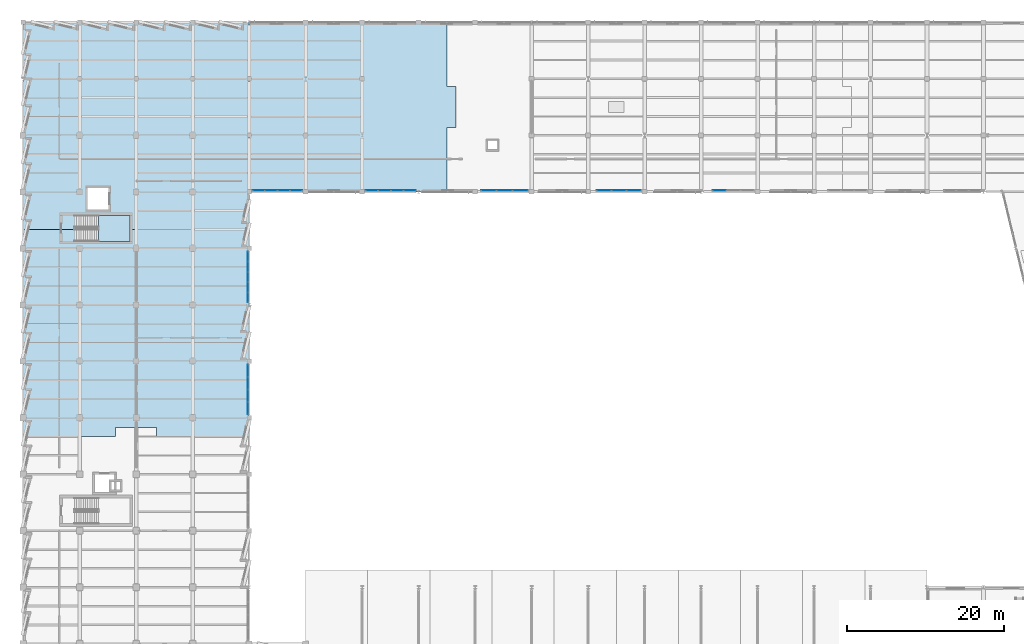
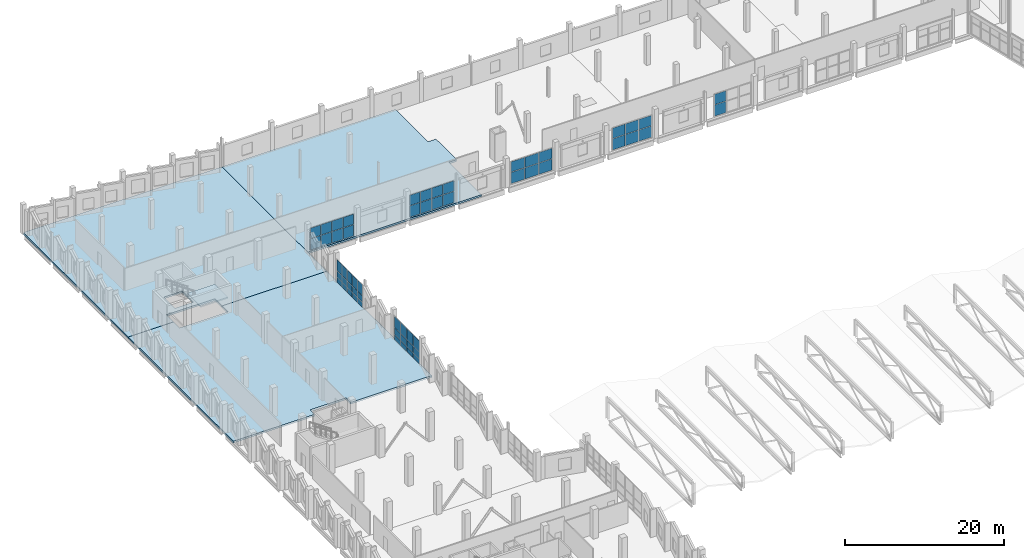
# One storey, part 76 of 123: 57 plates, 4 slabs, 8 elements without a shape of their own.
"""IFC4 building model written with IfcOpenShell, lengths in metres."""

from ifc_helpers import new_model, si_unit, direction, frame, origin, origin_2d, place, context, subcontext, project, spatial, polyline, rectangle, outline, extrude, material, layer, layer_set, type_object, element, aggregate, save


model = new_model("IFC4")

# Units and contexts
model_context = context("Model", 3, precision=1e-05, world=origin(), true_north=direction((0.0, 1.0)))
body_context = subcontext(model_context, "Body", "Model", "MODEL_VIEW")
ifc_project = project(units=[si_unit("LENGTHUNIT", "METRE"), si_unit("AREAUNIT", "SQUARE_METRE"), si_unit("VOLUMEUNIT", "CUBIC_METRE"), si_unit("PLANEANGLEUNIT", "RADIAN"), si_unit("MASSUNIT", "GRAM", prefix="KILO")], contexts=[model_context])

# Site, building, storey
site_placement = place(None, origin())
site = spatial("IfcSite", under=ifc_project, at=site_placement, CompositionType="ELEMENT")
building_placement = place(site_placement, origin())
building = spatial("IfcBuilding", under=site, at=building_placement, Name="Kalmorath City Hall", CompositionType="ELEMENT")
storey_placement = place(building_placement, frame((0.0, 0.0, 10.199951171875)))
storey = spatial("IfcBuildingStorey", under=building, at=storey_placement, Name="L02", CompositionType="ELEMENT", Elevation=10.199951171875)

# Slabs
ifc_material_1 = material(Name="Concrete C40/50", Category="concrete")
ifc_layer_1 = layer(ifc_material_1, 0.280029296875)
ifc_layer_set_1 = layer_set([ifc_layer_1], Name="Concrete C40/50")
slab_type_1 = type_object("IfcSlabType", Name="Concrete composite floor slab 280", PredefinedType="FLOOR", material=ifc_layer_set_1)
slab_1_placement = place(storey_placement, frame((0.0, 0.0, -0.280029296875)))
element("IfcSlab", 1, at=slab_1_placement, inside=storey, type_object=slab_type_1, Name="L02 West Sawtooth Wing and Civic Storm Arcade slab FS2-2", PredefinedType="FLOOR", context=body_context, shape_type="SweptSolid", body=[
    extrude(outline(polyline([(17.0, 62.39990234375), (17.0, 63.550048828125), (11.800048828125, 63.550048828125), (11.800048828125, 62.39990234375), (0.0, 62.39990234375), (0.0, 88.800048828125), (6.590087890625, 88.800048828125), (6.590087890625, 87.300048828125), (13.60009765625, 87.300048828125), (13.60009765625, 88.800048828125), (28.800048828125, 88.800048828125), (28.800048828125, 62.39990234375), (17.0, 62.39990234375)])), origin(), (0.0, 0.0, 1.0), 0.280029296875),
])
slab_2_placement = place(storey_placement, frame((0.0, 0.0, -0.280029296875)))
element("IfcSlab", 2, at=slab_2_placement, inside=storey, type_object=slab_type_1, Name="L02 West Sawtooth Wing and Civic Storm Arcade slab FS2-3", PredefinedType="FLOOR", context=body_context, shape_type="SweptSolid", body=[
    extrude(outline(polyline([(28.800048828125, 115.199951171875), (28.800048828125, 88.800048828125), (13.60009765625, 88.800048828125), (13.60009765625, 90.60009765625), (6.590087890625, 90.60009765625), (6.590087890625, 88.800048828125), (0.0, 88.800048828125), (0.0, 115.199951171875), (28.800048828125, 115.199951171875)]), holes=[polyline([(8.199951171875, 94.10009765625), (8.199951171875, 91.300048828125), (10.89990234375, 91.300048828125), (10.89990234375, 94.10009765625), (8.199951171875, 94.10009765625)])]), origin(), (0.0, 0.0, 1.0), 0.280029296875),
])
slab_3_placement = place(storey_placement, frame((0.0, 0.0, -0.280029296875)))
element("IfcSlab", 3, at=slab_3_placement, inside=storey, type_object=slab_type_1, Name="L02 Basalt Rear Committee Wing slab FS2-1", PredefinedType="FLOOR", context=body_context, shape_type="SweptSolid", body=[
    extrude(outline(polyline([(28.800048828125, 115.199951171875), (54.0, 115.199951171875), (54.0, 107.0), (55.14990234375, 107.0), (55.14990234375, 101.800048828125), (54.0, 101.800048828125), (54.0, 93.60009765625), (28.800048828125, 93.60009765625), (28.800048828125, 115.199951171875)])), origin(), (0.0, 0.0, 1.0), 0.280029296875),
])

# Stair, slab
ifc_material_2 = material(Name="Concrete C40/50", Category="concrete")
stair_type = type_object("IfcStairType", Name="Dogleg concrete exit stair 24R x 188mm W1550", PredefinedType="HALF_TURN_STAIR", material=ifc_material_2)
stair_placement = place(storey_placement, origin())
stair = element("IfcStair", 4, at=stair_placement, inside=storey, type_object=stair_type, Name="L02 Protected exit stair ST-4", PredefinedType="HALF_TURN_STAIR")
ifc_material_3 = material(Name="Concrete C40/50", Category="concrete")
ifc_layer_2 = layer(ifc_material_3, 0.199951171875)
ifc_layer_set_2 = layer_set([ifc_layer_2], Name="Concrete C40/50")
slab_type_2 = type_object("IfcSlabType", Name="Concrete stair half-landing slab 200", PredefinedType="LANDING", material=ifc_layer_set_2)
slab_4_placement = place(storey_placement, frame((0.0, 0.0, 2.050048828125)))
slab_4 = element("IfcSlab", 5, at=slab_4_placement, type_object=slab_type_2, Name="ST-4 landing 1", PredefinedType="LANDING", context=body_context, shape_type="SweptSolid", body=[
    extrude(outline(polyline([(9.6298828125, 87.300048828125), (13.60009765625, 87.300048828125), (13.60009765625, 90.60009765625), (9.6298828125, 90.60009765625), (9.6298828125, 87.300048828125)])), origin(), (0.0, 0.0, 1.0), 0.199951171875),
])
aggregate(stair, [slab_4])

# Curtain wall, plates
ifc_material_4 = material(Name="Anodised aluminium and laminated glass", Category="aluminium")
curtain_wall_type_1 = type_object("IfcCurtainWallType", Name="Unitised hurricane curtain wall 5395x3471 M1750", PredefinedType="NOTDEFINED", material=ifc_material_4)
curtain_wall_1_placement = place(storey_placement, origin())
curtain_wall_1 = element("IfcCurtainWall", 6, at=curtain_wall_1_placement, inside=storey, type_object=curtain_wall_type_1, Name="L02 curtain wall CW-54X35M18 #134", PredefinedType="NOTDEFINED")
ifc_material_5 = material(Name="Hurricane laminated low-E glass", Category="glass")
ifc_layer_3 = layer(ifc_material_5, 0.028076171875)
ifc_layer_set_3 = layer_set([ifc_layer_3], Name="Hurricane laminated low-E glass")
plate_type = type_object("IfcPlateType", Name="Courtyard solar-control glazed panel 28", PredefinedType="CURTAIN_PANEL", material=ifc_layer_set_3)
plate_1_placement = place(storey_placement, frame((88.73046875, 93.760009765625, 0.06005859375), z_axis=(0.0, 0.0, 1.0), x_axis=(-1.0, 0.0, 0.0)))
plate_1 = element("IfcPlate", 7, at=plate_1_placement, type_object=plate_type, Name="CW-54X35M18 panel 3.1", PredefinedType="CURTAIN_PANEL", context=body_context, shape_type="SweptSolid", body=[
    extrude(rectangle(XDim=1.70068359375, YDim=0.028076171875, at=origin_2d()), origin(), (0.0, 0.0, 1.0), 1.715087890625),
])
plate_2_placement = place(storey_placement, frame((88.73046875, 93.760009765625, 1.8349609375), z_axis=(0.0, 0.0, 1.0), x_axis=(-1.0, 0.0, 0.0)))
plate_2 = element("IfcPlate", 8, at=plate_2_placement, type_object=plate_type, Name="CW-54X35M18 panel 3.2", PredefinedType="CURTAIN_PANEL", context=body_context, shape_type="SweptSolid", body=[
    extrude(rectangle(XDim=1.70068359375, YDim=0.028076171875, at=origin_2d()), origin(), (0.0, 0.0, 1.0), 1.575927734375),
])
aggregate(curtain_wall_1, [plate_1, plate_2])

ifc_material_6 = material(Name="Anodised aluminium and laminated glass", Category="aluminium")
curtain_wall_type_2 = type_object("IfcCurtainWallType", Name="Unitised hurricane curtain wall 5749x3471 M1750", PredefinedType="NOTDEFINED", material=ifc_material_6)
curtain_wall_2_placement = place(storey_placement, origin())
curtain_wall_2 = element("IfcCurtainWall", 9, at=curtain_wall_2_placement, inside=storey, type_object=curtain_wall_type_2, Name="L02 curtain wall CW-57X35M18 #135", PredefinedType="NOTDEFINED")
plate_3_placement = place(storey_placement, frame((77.835693359375, 93.760009765625, 0.06005859375), z_axis=(0.0, 0.0, 1.0), x_axis=(-1.0, 0.0, 0.0)))
plate_3 = element("IfcPlate", 10, at=plate_3_placement, type_object=plate_type, Name="CW-57X35M18 panel 1.1", PredefinedType="CURTAIN_PANEL", context=body_context, shape_type="SweptSolid", body=[
    extrude(rectangle(XDim=1.818603515625, YDim=0.028076171875, at=origin_2d()), origin(), (0.0, 0.0, 1.0), 1.715087890625),
])
plate_4_placement = place(storey_placement, frame((77.835693359375, 93.760009765625, 1.8349609375), z_axis=(0.0, 0.0, 1.0), x_axis=(-1.0, 0.0, 0.0)))
plate_4 = element("IfcPlate", 11, at=plate_4_placement, type_object=plate_type, Name="CW-57X35M18 panel 1.2", PredefinedType="CURTAIN_PANEL", context=body_context, shape_type="SweptSolid", body=[
    extrude(rectangle(XDim=1.818603515625, YDim=0.028076171875, at=origin_2d()), origin(), (0.0, 0.0, 1.0), 1.575927734375),
])
plate_5_placement = place(storey_placement, frame((75.935791015625, 93.760009765625, 0.06005859375), z_axis=(0.0, 0.0, 1.0), x_axis=(-1.0, 0.0, 0.0)))
plate_5 = element("IfcPlate", 12, at=plate_5_placement, type_object=plate_type, Name="CW-57X35M18 panel 2.1", PredefinedType="CURTAIN_PANEL", context=body_context, shape_type="SweptSolid", body=[
    extrude(rectangle(XDim=1.851318359375, YDim=0.028076171875, at=origin_2d()), origin(), (0.0, 0.0, 1.0), 1.715087890625),
])
plate_6_placement = place(storey_placement, frame((75.935791015625, 93.760009765625, 1.8349609375), z_axis=(0.0, 0.0, 1.0), x_axis=(-1.0, 0.0, 0.0)))
plate_6 = element("IfcPlate", 13, at=plate_6_placement, type_object=plate_type, Name="CW-57X35M18 panel 2.2", PredefinedType="CURTAIN_PANEL", context=body_context, shape_type="SweptSolid", body=[
    extrude(rectangle(XDim=1.851318359375, YDim=0.028076171875, at=origin_2d()), origin(), (0.0, 0.0, 1.0), 1.575927734375),
])
plate_7_placement = place(storey_placement, frame((74.03564453125, 93.760009765625, 0.06005859375), z_axis=(0.0, 0.0, 1.0), x_axis=(-1.0, 0.0, 0.0)))
plate_7 = element("IfcPlate", 14, at=plate_7_placement, type_object=plate_type, Name="CW-57X35M18 panel 3.1", PredefinedType="CURTAIN_PANEL", context=body_context, shape_type="SweptSolid", body=[
    extrude(rectangle(XDim=1.818603515625, YDim=0.028076171875, at=origin_2d()), origin(), (0.0, 0.0, 1.0), 1.715087890625),
])
plate_8_placement = place(storey_placement, frame((74.03564453125, 93.760009765625, 1.8349609375), z_axis=(0.0, 0.0, 1.0), x_axis=(-1.0, 0.0, 0.0)))
plate_8 = element("IfcPlate", 15, at=plate_8_placement, type_object=plate_type, Name="CW-57X35M18 panel 3.2", PredefinedType="CURTAIN_PANEL", context=body_context, shape_type="SweptSolid", body=[
    extrude(rectangle(XDim=1.818603515625, YDim=0.028076171875, at=origin_2d()), origin(), (0.0, 0.0, 1.0), 1.575927734375),
])
aggregate(curtain_wall_2, [plate_3, plate_4, plate_5, plate_6, plate_7, plate_8])

ifc_material_7 = material(Name="Anodised aluminium and laminated glass", Category="aluminium")
curtain_wall_type_3 = type_object("IfcCurtainWallType", Name="Unitised hurricane curtain wall 6102x3471 M1750", PredefinedType="NOTDEFINED", material=ifc_material_7)
curtain_wall_3_placement = place(storey_placement, origin())
curtain_wall_3 = element("IfcCurtainWall", 16, at=curtain_wall_3_placement, inside=storey, type_object=curtain_wall_type_3, Name="L02 curtain wall CW-61X35M18 #136", PredefinedType="NOTDEFINED")
plate_9_placement = place(storey_placement, frame((63.376708984375, 93.760009765625, 0.06005859375), z_axis=(0.0, 0.0, 1.0), x_axis=(-1.0, 0.0, 0.0)))
plate_9 = element("IfcPlate", 17, at=plate_9_placement, type_object=plate_type, Name="CW-61X35M18 panel 1.1", PredefinedType="CURTAIN_PANEL", context=body_context, shape_type="SweptSolid", body=[
    extrude(rectangle(XDim=1.9365234375, YDim=0.028076171875, at=origin_2d()), origin(), (0.0, 0.0, 1.0), 1.715087890625),
])
plate_10_placement = place(storey_placement, frame((63.376708984375, 93.760009765625, 1.8349609375), z_axis=(0.0, 0.0, 1.0), x_axis=(-1.0, 0.0, 0.0)))
plate_10 = element("IfcPlate", 18, at=plate_10_placement, type_object=plate_type, Name="CW-61X35M18 panel 1.2", PredefinedType="CURTAIN_PANEL", context=body_context, shape_type="SweptSolid", body=[
    extrude(rectangle(XDim=1.9365234375, YDim=0.028076171875, at=origin_2d()), origin(), (0.0, 0.0, 1.0), 1.575927734375),
])
plate_11_placement = place(storey_placement, frame((61.35888671875, 93.760009765625, 0.06005859375), z_axis=(0.0, 0.0, 1.0), x_axis=(-1.0, 0.0, 0.0)))
plate_11 = element("IfcPlate", 19, at=plate_11_placement, type_object=plate_type, Name="CW-61X35M18 panel 2.1", PredefinedType="CURTAIN_PANEL", context=body_context, shape_type="SweptSolid", body=[
    extrude(rectangle(XDim=1.96923828125, YDim=0.028076171875, at=origin_2d()), origin(), (0.0, 0.0, 1.0), 1.715087890625),
])
plate_12_placement = place(storey_placement, frame((61.35888671875, 93.760009765625, 1.8349609375), z_axis=(0.0, 0.0, 1.0), x_axis=(-1.0, 0.0, 0.0)))
plate_12 = element("IfcPlate", 20, at=plate_12_placement, type_object=plate_type, Name="CW-61X35M18 panel 2.2", PredefinedType="CURTAIN_PANEL", context=body_context, shape_type="SweptSolid", body=[
    extrude(rectangle(XDim=1.96923828125, YDim=0.028076171875, at=origin_2d()), origin(), (0.0, 0.0, 1.0), 1.575927734375),
])
plate_13_placement = place(storey_placement, frame((59.3408203125, 93.760009765625, 0.06005859375), z_axis=(0.0, 0.0, 1.0), x_axis=(-1.0, 0.0, 0.0)))
plate_13 = element("IfcPlate", 21, at=plate_13_placement, type_object=plate_type, Name="CW-61X35M18 panel 3.1", PredefinedType="CURTAIN_PANEL", context=body_context, shape_type="SweptSolid", body=[
    extrude(rectangle(XDim=1.9365234375, YDim=0.028076171875, at=origin_2d()), origin(), (0.0, 0.0, 1.0), 1.715087890625),
])
plate_14_placement = place(storey_placement, frame((59.3408203125, 93.760009765625, 1.8349609375), z_axis=(0.0, 0.0, 1.0), x_axis=(-1.0, 0.0, 0.0)))
plate_14 = element("IfcPlate", 22, at=plate_14_placement, type_object=plate_type, Name="CW-61X35M18 panel 3.2", PredefinedType="CURTAIN_PANEL", context=body_context, shape_type="SweptSolid", body=[
    extrude(rectangle(XDim=1.9365234375, YDim=0.028076171875, at=origin_2d()), origin(), (0.0, 0.0, 1.0), 1.575927734375),
])
aggregate(curtain_wall_3, [plate_9, plate_10, plate_11, plate_12, plate_13, plate_14])

ifc_material_8 = material(Name="Anodised aluminium and laminated glass", Category="aluminium")
curtain_wall_type_4 = type_object("IfcCurtainWallType", Name="Unitised hurricane curtain wall 6543x3471 M1750", PredefinedType="NOTDEFINED", material=ifc_material_8)
curtain_wall_4_placement = place(storey_placement, origin())
curtain_wall_4 = element("IfcCurtainWall", 23, at=curtain_wall_4_placement, inside=storey, type_object=curtain_wall_type_4, Name="L02 curtain wall CW-65X35M18 #137", PredefinedType="NOTDEFINED")
plate_15_placement = place(storey_placement, frame((49.29931640625, 93.760009765625, 0.06005859375), z_axis=(0.0, 0.0, 1.0), x_axis=(-1.0, 0.0, 0.0)))
plate_15 = element("IfcPlate", 24, at=plate_15_placement, type_object=plate_type, Name="CW-65X35M18 panel 1.1", PredefinedType="CURTAIN_PANEL", context=body_context, shape_type="SweptSolid", body=[
    extrude(rectangle(XDim=1.538330078125, YDim=0.028076171875, at=origin_2d()), origin(), (0.0, 0.0, 1.0), 1.715087890625),
])
plate_16_placement = place(storey_placement, frame((49.29931640625, 93.760009765625, 1.8349609375), z_axis=(0.0, 0.0, 1.0), x_axis=(-1.0, 0.0, 0.0)))
plate_16 = element("IfcPlate", 25, at=plate_16_placement, type_object=plate_type, Name="CW-65X35M18 panel 1.2", PredefinedType="CURTAIN_PANEL", context=body_context, shape_type="SweptSolid", body=[
    extrude(rectangle(XDim=1.538330078125, YDim=0.028076171875, at=origin_2d()), origin(), (0.0, 0.0, 1.0), 1.575927734375),
])
plate_17_placement = place(storey_placement, frame((47.6796875, 93.760009765625, 0.06005859375), z_axis=(0.0, 0.0, 1.0), x_axis=(-1.0, 0.0, 0.0)))
plate_17 = element("IfcPlate", 26, at=plate_17_placement, type_object=plate_type, Name="CW-65X35M18 panel 2.1", PredefinedType="CURTAIN_PANEL", context=body_context, shape_type="SweptSolid", body=[
    extrude(rectangle(XDim=1.57080078125, YDim=0.028076171875, at=origin_2d()), origin(), (0.0, 0.0, 1.0), 1.715087890625),
])
plate_18_placement = place(storey_placement, frame((47.6796875, 93.760009765625, 1.8349609375), z_axis=(0.0, 0.0, 1.0), x_axis=(-1.0, 0.0, 0.0)))
plate_18 = element("IfcPlate", 27, at=plate_18_placement, type_object=plate_type, Name="CW-65X35M18 panel 2.2", PredefinedType="CURTAIN_PANEL", context=body_context, shape_type="SweptSolid", body=[
    extrude(rectangle(XDim=1.57080078125, YDim=0.028076171875, at=origin_2d()), origin(), (0.0, 0.0, 1.0), 1.575927734375),
])
plate_19_placement = place(storey_placement, frame((46.043701171875, 93.760009765625, 0.06005859375), z_axis=(0.0, 0.0, 1.0), x_axis=(-1.0, 0.0, 0.0)))
plate_19 = element("IfcPlate", 28, at=plate_19_placement, type_object=plate_type, Name="CW-65X35M18 panel 3.1", PredefinedType="CURTAIN_PANEL", context=body_context, shape_type="SweptSolid", body=[
    extrude(rectangle(XDim=1.57080078125, YDim=0.028076171875, at=origin_2d()), origin(), (0.0, 0.0, 1.0), 1.715087890625),
])
plate_20_placement = place(storey_placement, frame((46.043701171875, 93.760009765625, 1.8349609375), z_axis=(0.0, 0.0, 1.0), x_axis=(-1.0, 0.0, 0.0)))
plate_20 = element("IfcPlate", 29, at=plate_20_placement, type_object=plate_type, Name="CW-65X35M18 panel 3.2", PredefinedType="CURTAIN_PANEL", context=body_context, shape_type="SweptSolid", body=[
    extrude(rectangle(XDim=1.57080078125, YDim=0.028076171875, at=origin_2d()), origin(), (0.0, 0.0, 1.0), 1.575927734375),
])
plate_21_placement = place(storey_placement, frame((44.424072265625, 93.760009765625, 0.06005859375), z_axis=(0.0, 0.0, 1.0), x_axis=(-1.0, 0.0, 0.0)))
plate_21 = element("IfcPlate", 30, at=plate_21_placement, type_object=plate_type, Name="CW-65X35M18 panel 4.1", PredefinedType="CURTAIN_PANEL", context=body_context, shape_type="SweptSolid", body=[
    extrude(rectangle(XDim=1.538330078125, YDim=0.028076171875, at=origin_2d()), origin(), (0.0, 0.0, 1.0), 1.715087890625),
])
plate_22_placement = place(storey_placement, frame((44.424072265625, 93.760009765625, 1.8349609375), z_axis=(0.0, 0.0, 1.0), x_axis=(-1.0, 0.0, 0.0)))
plate_22 = element("IfcPlate", 31, at=plate_22_placement, type_object=plate_type, Name="CW-65X35M18 panel 4.2", PredefinedType="CURTAIN_PANEL", context=body_context, shape_type="SweptSolid", body=[
    extrude(rectangle(XDim=1.538330078125, YDim=0.028076171875, at=origin_2d()), origin(), (0.0, 0.0, 1.0), 1.575927734375),
])
aggregate(curtain_wall_4, [plate_15, plate_16, plate_17, plate_18, plate_19, plate_20, plate_21, plate_22])

ifc_material_9 = material(Name="Anodised aluminium and laminated glass", Category="aluminium")
curtain_wall_type_5 = type_object("IfcCurtainWallType", Name="Unitised hurricane curtain wall 6420x3471 M1750", PredefinedType="NOTDEFINED", material=ifc_material_9)
curtain_wall_5_placement = place(storey_placement, origin())
curtain_wall_5 = element("IfcCurtainWall", 32, at=curtain_wall_5_placement, inside=storey, type_object=curtain_wall_type_5, Name="L02 curtain wall CW-64X35M18 #138", PredefinedType="NOTDEFINED")
plate_23_placement = place(storey_placement, frame((34.791259765625, 93.760009765625, 0.06005859375), z_axis=(0.0, 0.0, 1.0), x_axis=(-1.0, 0.0, 0.0)))
plate_23 = element("IfcPlate", 33, at=plate_23_placement, type_object=plate_type, Name="CW-64X35M18 panel 1.1", PredefinedType="CURTAIN_PANEL", context=body_context, shape_type="SweptSolid", body=[
    extrude(rectangle(XDim=1.507568359375, YDim=0.028076171875, at=origin_2d()), origin(), (0.0, 0.0, 1.0), 1.715087890625),
])
plate_24_placement = place(storey_placement, frame((34.791259765625, 93.760009765625, 1.8349609375), z_axis=(0.0, 0.0, 1.0), x_axis=(-1.0, 0.0, 0.0)))
plate_24 = element("IfcPlate", 34, at=plate_24_placement, type_object=plate_type, Name="CW-64X35M18 panel 1.2", PredefinedType="CURTAIN_PANEL", context=body_context, shape_type="SweptSolid", body=[
    extrude(rectangle(XDim=1.507568359375, YDim=0.028076171875, at=origin_2d()), origin(), (0.0, 0.0, 1.0), 1.575927734375),
])
plate_25_placement = place(storey_placement, frame((33.202392578125, 93.760009765625, 0.06005859375), z_axis=(0.0, 0.0, 1.0), x_axis=(-1.0, 0.0, 0.0)))
plate_25 = element("IfcPlate", 35, at=plate_25_placement, type_object=plate_type, Name="CW-64X35M18 panel 2.1", PredefinedType="CURTAIN_PANEL", context=body_context, shape_type="SweptSolid", body=[
    extrude(rectangle(XDim=1.5400390625, YDim=0.028076171875, at=origin_2d()), origin(), (0.0, 0.0, 1.0), 1.715087890625),
])
plate_26_placement = place(storey_placement, frame((33.202392578125, 93.760009765625, 1.8349609375), z_axis=(0.0, 0.0, 1.0), x_axis=(-1.0, 0.0, 0.0)))
plate_26 = element("IfcPlate", 36, at=plate_26_placement, type_object=plate_type, Name="CW-64X35M18 panel 2.2", PredefinedType="CURTAIN_PANEL", context=body_context, shape_type="SweptSolid", body=[
    extrude(rectangle(XDim=1.5400390625, YDim=0.028076171875, at=origin_2d()), origin(), (0.0, 0.0, 1.0), 1.575927734375),
])
plate_27_placement = place(storey_placement, frame((31.597412109375, 93.760009765625, 0.06005859375), z_axis=(0.0, 0.0, 1.0), x_axis=(-1.0, 0.0, 0.0)))
plate_27 = element("IfcPlate", 37, at=plate_27_placement, type_object=plate_type, Name="CW-64X35M18 panel 3.1", PredefinedType="CURTAIN_PANEL", context=body_context, shape_type="SweptSolid", body=[
    extrude(rectangle(XDim=1.5400390625, YDim=0.028076171875, at=origin_2d()), origin(), (0.0, 0.0, 1.0), 1.715087890625),
])
plate_28_placement = place(storey_placement, frame((31.597412109375, 93.760009765625, 1.8349609375), z_axis=(0.0, 0.0, 1.0), x_axis=(-1.0, 0.0, 0.0)))
plate_28 = element("IfcPlate", 38, at=plate_28_placement, type_object=plate_type, Name="CW-64X35M18 panel 3.2", PredefinedType="CURTAIN_PANEL", context=body_context, shape_type="SweptSolid", body=[
    extrude(rectangle(XDim=1.5400390625, YDim=0.028076171875, at=origin_2d()), origin(), (0.0, 0.0, 1.0), 1.575927734375),
])
plate_29_placement = place(storey_placement, frame((30.0087890625, 93.760009765625, 0.06005859375), z_axis=(0.0, 0.0, 1.0), x_axis=(-1.0, 0.0, 0.0)))
plate_29 = element("IfcPlate", 39, at=plate_29_placement, type_object=plate_type, Name="CW-64X35M18 panel 4.1", PredefinedType="CURTAIN_PANEL", context=body_context, shape_type="SweptSolid", body=[
    extrude(rectangle(XDim=1.507568359375, YDim=0.028076171875, at=origin_2d()), origin(), (0.0, 0.0, 1.0), 1.715087890625),
])
plate_30_placement = place(storey_placement, frame((30.0087890625, 93.760009765625, 1.8349609375), z_axis=(0.0, 0.0, 1.0), x_axis=(-1.0, 0.0, 0.0)))
plate_30 = element("IfcPlate", 40, at=plate_30_placement, type_object=plate_type, Name="CW-64X35M18 panel 4.2", PredefinedType="CURTAIN_PANEL", context=body_context, shape_type="SweptSolid", body=[
    extrude(rectangle(XDim=1.507568359375, YDim=0.028076171875, at=origin_2d()), origin(), (0.0, 0.0, 1.0), 1.575927734375),
])
aggregate(curtain_wall_5, [plate_23, plate_24, plate_25, plate_26, plate_27, plate_28, plate_29, plate_30])

ifc_material_10 = material(Name="Anodised aluminium and laminated glass", Category="aluminium")
curtain_wall_type_6 = type_object("IfcCurtainWallType", Name="Unitised hurricane curtain wall 6544x3618 M1450", PredefinedType="NOTDEFINED", material=ifc_material_10)
curtain_wall_6_placement = place(storey_placement, origin())
curtain_wall_6 = element("IfcCurtainWall", 41, at=curtain_wall_6_placement, inside=storey, type_object=curtain_wall_type_6, Name="L02 curtain wall CW-65X36M14 #139", PredefinedType="NOTDEFINED")
plate_31_placement = place(storey_placement, frame((28.639892578125, 85.33935546875, 0.06005859375), z_axis=(0.0, 0.0, 1.0), x_axis=(0.0, -1.0, 0.0)))
plate_31 = element("IfcPlate", 42, at=plate_31_placement, type_object=plate_type, Name="CW-65X36M14 panel 1.1", PredefinedType="CURTAIN_PANEL", context=body_context, shape_type="SweptSolid", body=[
    extrude(rectangle(XDim=1.211181640625, YDim=0.028076171875, at=origin_2d()), origin(), (0.0, 0.0, 1.0), 0.760009765625),
])
plate_32_placement = place(storey_placement, frame((28.639892578125, 85.33935546875, 0.8798828125), z_axis=(0.0, 0.0, 1.0), x_axis=(0.0, -1.0, 0.0)))
plate_32 = element("IfcPlate", 43, at=plate_32_placement, type_object=plate_type, Name="CW-65X36M14 panel 1.2", PredefinedType="CURTAIN_PANEL", context=body_context, shape_type="SweptSolid", body=[
    extrude(rectangle(XDim=1.211181640625, YDim=0.028076171875, at=origin_2d()), origin(), (0.0, 0.0, 1.0), 0.970947265625),
])
plate_33_placement = place(storey_placement, frame((28.639892578125, 85.33935546875, 1.9111328125), z_axis=(0.0, 0.0, 1.0), x_axis=(0.0, -1.0, 0.0)))
plate_33 = element("IfcPlate", 44, at=plate_33_placement, type_object=plate_type, Name="CW-65X36M14 panel 1.3", PredefinedType="CURTAIN_PANEL", context=body_context, shape_type="SweptSolid", body=[
    extrude(rectangle(XDim=1.211181640625, YDim=0.028076171875, at=origin_2d()), origin(), (0.0, 0.0, 1.0), 1.64697265625),
])
plate_34_placement = place(storey_placement, frame((28.639892578125, 84.046875, 0.06005859375), z_axis=(0.0, 0.0, 1.0), x_axis=(0.0, -1.0, 0.0)))
plate_34 = element("IfcPlate", 45, at=plate_34_placement, type_object=plate_type, Name="CW-65X36M14 panel 2.1", PredefinedType="CURTAIN_PANEL", context=body_context, shape_type="SweptSolid", body=[
    extrude(rectangle(XDim=1.24365234375, YDim=0.028076171875, at=origin_2d()), origin(), (0.0, 0.0, 1.0), 0.760009765625),
])
plate_35_placement = place(storey_placement, frame((28.639892578125, 84.046875, 0.8798828125), z_axis=(0.0, 0.0, 1.0), x_axis=(0.0, -1.0, 0.0)))
plate_35 = element("IfcPlate", 46, at=plate_35_placement, type_object=plate_type, Name="CW-65X36M14 panel 2.2", PredefinedType="CURTAIN_PANEL", context=body_context, shape_type="SweptSolid", body=[
    extrude(rectangle(XDim=1.24365234375, YDim=0.028076171875, at=origin_2d()), origin(), (0.0, 0.0, 1.0), 0.970947265625),
])
plate_36_placement = place(storey_placement, frame((28.639892578125, 84.046875, 1.9111328125), z_axis=(0.0, 0.0, 1.0), x_axis=(0.0, -1.0, 0.0)))
plate_36 = element("IfcPlate", 47, at=plate_36_placement, type_object=plate_type, Name="CW-65X36M14 panel 2.3", PredefinedType="CURTAIN_PANEL", context=body_context, shape_type="SweptSolid", body=[
    extrude(rectangle(XDim=1.24365234375, YDim=0.028076171875, at=origin_2d()), origin(), (0.0, 0.0, 1.0), 1.64697265625),
])
plate_37_placement = place(storey_placement, frame((28.639892578125, 82.73828125, 0.06005859375), z_axis=(0.0, 0.0, 1.0), x_axis=(0.0, -1.0, 0.0)))
plate_37 = element("IfcPlate", 48, at=plate_37_placement, type_object=plate_type, Name="CW-65X36M14 panel 3.1", PredefinedType="CURTAIN_PANEL", context=body_context, shape_type="SweptSolid", body=[
    extrude(rectangle(XDim=1.24365234375, YDim=0.028076171875, at=origin_2d()), origin(), (0.0, 0.0, 1.0), 0.760009765625),
])
plate_38_placement = place(storey_placement, frame((28.639892578125, 82.73828125, 0.8798828125), z_axis=(0.0, 0.0, 1.0), x_axis=(0.0, -1.0, 0.0)))
plate_38 = element("IfcPlate", 49, at=plate_38_placement, type_object=plate_type, Name="CW-65X36M14 panel 3.2", PredefinedType="CURTAIN_PANEL", context=body_context, shape_type="SweptSolid", body=[
    extrude(rectangle(XDim=1.24365234375, YDim=0.028076171875, at=origin_2d()), origin(), (0.0, 0.0, 1.0), 0.970947265625),
])
plate_39_placement = place(storey_placement, frame((28.639892578125, 82.73828125, 1.9111328125), z_axis=(0.0, 0.0, 1.0), x_axis=(0.0, -1.0, 0.0)))
plate_39 = element("IfcPlate", 50, at=plate_39_placement, type_object=plate_type, Name="CW-65X36M14 panel 3.3", PredefinedType="CURTAIN_PANEL", context=body_context, shape_type="SweptSolid", body=[
    extrude(rectangle(XDim=1.24365234375, YDim=0.028076171875, at=origin_2d()), origin(), (0.0, 0.0, 1.0), 1.64697265625),
])
plate_40_placement = place(storey_placement, frame((28.639892578125, 81.429443359375, 0.06005859375), z_axis=(0.0, 0.0, 1.0), x_axis=(0.0, -1.0, 0.0)))
plate_40 = element("IfcPlate", 51, at=plate_40_placement, type_object=plate_type, Name="CW-65X36M14 panel 4.1", PredefinedType="CURTAIN_PANEL", context=body_context, shape_type="SweptSolid", body=[
    extrude(rectangle(XDim=1.24365234375, YDim=0.028076171875, at=origin_2d()), origin(), (0.0, 0.0, 1.0), 0.760009765625),
])
plate_41_placement = place(storey_placement, frame((28.639892578125, 81.429443359375, 0.8798828125), z_axis=(0.0, 0.0, 1.0), x_axis=(0.0, -1.0, 0.0)))
plate_41 = element("IfcPlate", 52, at=plate_41_placement, type_object=plate_type, Name="CW-65X36M14 panel 4.2", PredefinedType="CURTAIN_PANEL", context=body_context, shape_type="SweptSolid", body=[
    extrude(rectangle(XDim=1.24365234375, YDim=0.028076171875, at=origin_2d()), origin(), (0.0, 0.0, 1.0), 0.970947265625),
])
plate_42_placement = place(storey_placement, frame((28.639892578125, 81.429443359375, 1.9111328125), z_axis=(0.0, 0.0, 1.0), x_axis=(0.0, -1.0, 0.0)))
plate_42 = element("IfcPlate", 53, at=plate_42_placement, type_object=plate_type, Name="CW-65X36M14 panel 4.3", PredefinedType="CURTAIN_PANEL", context=body_context, shape_type="SweptSolid", body=[
    extrude(rectangle(XDim=1.24365234375, YDim=0.028076171875, at=origin_2d()), origin(), (0.0, 0.0, 1.0), 1.64697265625),
])
plate_43_placement = place(storey_placement, frame((28.639892578125, 80.13720703125, 0.06005859375), z_axis=(0.0, 0.0, 1.0), x_axis=(0.0, -1.0, 0.0)))
plate_43 = element("IfcPlate", 54, at=plate_43_placement, type_object=plate_type, Name="CW-65X36M14 panel 5.1", PredefinedType="CURTAIN_PANEL", context=body_context, shape_type="SweptSolid", body=[
    extrude(rectangle(XDim=1.211181640625, YDim=0.028076171875, at=origin_2d()), origin(), (0.0, 0.0, 1.0), 0.760009765625),
])
plate_44_placement = place(storey_placement, frame((28.639892578125, 80.13720703125, 0.8798828125), z_axis=(0.0, 0.0, 1.0), x_axis=(0.0, -1.0, 0.0)))
plate_44 = element("IfcPlate", 55, at=plate_44_placement, type_object=plate_type, Name="CW-65X36M14 panel 5.2", PredefinedType="CURTAIN_PANEL", context=body_context, shape_type="SweptSolid", body=[
    extrude(rectangle(XDim=1.211181640625, YDim=0.028076171875, at=origin_2d()), origin(), (0.0, 0.0, 1.0), 0.970947265625),
])
plate_45_placement = place(storey_placement, frame((28.639892578125, 80.13720703125, 1.9111328125), z_axis=(0.0, 0.0, 1.0), x_axis=(0.0, -1.0, 0.0)))
plate_45 = element("IfcPlate", 56, at=plate_45_placement, type_object=plate_type, Name="CW-65X36M14 panel 5.3", PredefinedType="CURTAIN_PANEL", context=body_context, shape_type="SweptSolid", body=[
    extrude(rectangle(XDim=1.211181640625, YDim=0.028076171875, at=origin_2d()), origin(), (0.0, 0.0, 1.0), 1.64697265625),
])
aggregate(curtain_wall_6, [plate_31, plate_32, plate_33, plate_34, plate_35, plate_36, plate_37, plate_38, plate_39, plate_40, plate_41, plate_42, plate_43, plate_44, plate_45])

ifc_material_11 = material(Name="Anodised aluminium and laminated glass", Category="aluminium")
curtain_wall_type_7 = type_object("IfcCurtainWallType", Name="Unitised hurricane curtain wall 6420x3696 M1450", PredefinedType="NOTDEFINED", material=ifc_material_11)
curtain_wall_7_placement = place(storey_placement, origin())
curtain_wall_7 = element("IfcCurtainWall", 57, at=curtain_wall_7_placement, inside=storey, type_object=curtain_wall_type_7, Name="L02 curtain wall CW-64X37M14 #140", PredefinedType="NOTDEFINED")
plate_46_placement = place(storey_placement, frame((28.639892578125, 70.791259765625, 0.06005859375), z_axis=(0.0, 0.0, 1.0), x_axis=(0.0, -1.0, 0.0)))
plate_46 = element("IfcPlate", 58, at=plate_46_placement, type_object=plate_type, Name="CW-64X37M14 panel 1.1", PredefinedType="CURTAIN_PANEL", context=body_context, shape_type="SweptSolid", body=[
    extrude(rectangle(XDim=1.507568359375, YDim=0.028076171875, at=origin_2d()), origin(), (0.0, 0.0, 1.0), 0.760009765625),
])
plate_47_placement = place(storey_placement, frame((28.639892578125, 70.791259765625, 0.8798828125), z_axis=(0.0, 0.0, 1.0), x_axis=(0.0, -1.0, 0.0)))
plate_47 = element("IfcPlate", 59, at=plate_47_placement, type_object=plate_type, Name="CW-64X37M14 panel 1.2", PredefinedType="CURTAIN_PANEL", context=body_context, shape_type="SweptSolid", body=[
    extrude(rectangle(XDim=1.507568359375, YDim=0.028076171875, at=origin_2d()), origin(), (0.0, 0.0, 1.0), 1.011962890625),
])
plate_48_placement = place(storey_placement, frame((28.639892578125, 70.791259765625, 1.951904296875), z_axis=(0.0, 0.0, 1.0), x_axis=(0.0, -1.0, 0.0)))
plate_48 = element("IfcPlate", 60, at=plate_48_placement, type_object=plate_type, Name="CW-64X37M14 panel 1.3", PredefinedType="CURTAIN_PANEL", context=body_context, shape_type="SweptSolid", body=[
    extrude(rectangle(XDim=1.507568359375, YDim=0.028076171875, at=origin_2d()), origin(), (0.0, 0.0, 1.0), 1.68408203125),
])
plate_49_placement = place(storey_placement, frame((28.639892578125, 69.202392578125, 0.06005859375), z_axis=(0.0, 0.0, 1.0), x_axis=(0.0, -1.0, 0.0)))
plate_49 = element("IfcPlate", 61, at=plate_49_placement, type_object=plate_type, Name="CW-64X37M14 panel 2.1", PredefinedType="CURTAIN_PANEL", context=body_context, shape_type="SweptSolid", body=[
    extrude(rectangle(XDim=1.5400390625, YDim=0.028076171875, at=origin_2d()), origin(), (0.0, 0.0, 1.0), 0.760009765625),
])
plate_50_placement = place(storey_placement, frame((28.639892578125, 69.202392578125, 0.8798828125), z_axis=(0.0, 0.0, 1.0), x_axis=(0.0, -1.0, 0.0)))
plate_50 = element("IfcPlate", 62, at=plate_50_placement, type_object=plate_type, Name="CW-64X37M14 panel 2.2", PredefinedType="CURTAIN_PANEL", context=body_context, shape_type="SweptSolid", body=[
    extrude(rectangle(XDim=1.5400390625, YDim=0.028076171875, at=origin_2d()), origin(), (0.0, 0.0, 1.0), 1.011962890625),
])
plate_51_placement = place(storey_placement, frame((28.639892578125, 69.202392578125, 1.951904296875), z_axis=(0.0, 0.0, 1.0), x_axis=(0.0, -1.0, 0.0)))
plate_51 = element("IfcPlate", 63, at=plate_51_placement, type_object=plate_type, Name="CW-64X37M14 panel 2.3", PredefinedType="CURTAIN_PANEL", context=body_context, shape_type="SweptSolid", body=[
    extrude(rectangle(XDim=1.5400390625, YDim=0.028076171875, at=origin_2d()), origin(), (0.0, 0.0, 1.0), 1.68408203125),
])
plate_52_placement = place(storey_placement, frame((28.639892578125, 67.597412109375, 0.06005859375), z_axis=(0.0, 0.0, 1.0), x_axis=(0.0, -1.0, 0.0)))
plate_52 = element("IfcPlate", 64, at=plate_52_placement, type_object=plate_type, Name="CW-64X37M14 panel 3.1", PredefinedType="CURTAIN_PANEL", context=body_context, shape_type="SweptSolid", body=[
    extrude(rectangle(XDim=1.5400390625, YDim=0.028076171875, at=origin_2d()), origin(), (0.0, 0.0, 1.0), 0.760009765625),
])
plate_53_placement = place(storey_placement, frame((28.639892578125, 67.597412109375, 0.8798828125), z_axis=(0.0, 0.0, 1.0), x_axis=(0.0, -1.0, 0.0)))
plate_53 = element("IfcPlate", 65, at=plate_53_placement, type_object=plate_type, Name="CW-64X37M14 panel 3.2", PredefinedType="CURTAIN_PANEL", context=body_context, shape_type="SweptSolid", body=[
    extrude(rectangle(XDim=1.5400390625, YDim=0.028076171875, at=origin_2d()), origin(), (0.0, 0.0, 1.0), 1.011962890625),
])
plate_54_placement = place(storey_placement, frame((28.639892578125, 67.597412109375, 1.951904296875), z_axis=(0.0, 0.0, 1.0), x_axis=(0.0, -1.0, 0.0)))
plate_54 = element("IfcPlate", 66, at=plate_54_placement, type_object=plate_type, Name="CW-64X37M14 panel 3.3", PredefinedType="CURTAIN_PANEL", context=body_context, shape_type="SweptSolid", body=[
    extrude(rectangle(XDim=1.5400390625, YDim=0.028076171875, at=origin_2d()), origin(), (0.0, 0.0, 1.0), 1.68408203125),
])
plate_55_placement = place(storey_placement, frame((28.639892578125, 66.0087890625, 0.06005859375), z_axis=(0.0, 0.0, 1.0), x_axis=(0.0, -1.0, 0.0)))
plate_55 = element("IfcPlate", 67, at=plate_55_placement, type_object=plate_type, Name="CW-64X37M14 panel 4.1", PredefinedType="CURTAIN_PANEL", context=body_context, shape_type="SweptSolid", body=[
    extrude(rectangle(XDim=1.507568359375, YDim=0.028076171875, at=origin_2d()), origin(), (0.0, 0.0, 1.0), 0.760009765625),
])
plate_56_placement = place(storey_placement, frame((28.639892578125, 66.0087890625, 0.8798828125), z_axis=(0.0, 0.0, 1.0), x_axis=(0.0, -1.0, 0.0)))
plate_56 = element("IfcPlate", 68, at=plate_56_placement, type_object=plate_type, Name="CW-64X37M14 panel 4.2", PredefinedType="CURTAIN_PANEL", context=body_context, shape_type="SweptSolid", body=[
    extrude(rectangle(XDim=1.507568359375, YDim=0.028076171875, at=origin_2d()), origin(), (0.0, 0.0, 1.0), 1.011962890625),
])
plate_57_placement = place(storey_placement, frame((28.639892578125, 66.0087890625, 1.951904296875), z_axis=(0.0, 0.0, 1.0), x_axis=(0.0, -1.0, 0.0)))
plate_57 = element("IfcPlate", 69, at=plate_57_placement, type_object=plate_type, Name="CW-64X37M14 panel 4.3", PredefinedType="CURTAIN_PANEL", context=body_context, shape_type="SweptSolid", body=[
    extrude(rectangle(XDim=1.507568359375, YDim=0.028076171875, at=origin_2d()), origin(), (0.0, 0.0, 1.0), 1.68408203125),
])
aggregate(curtain_wall_7, [plate_46, plate_47, plate_48, plate_49, plate_50, plate_51, plate_52, plate_53, plate_54, plate_55, plate_56, plate_57])

save(model, "model.ifc")
